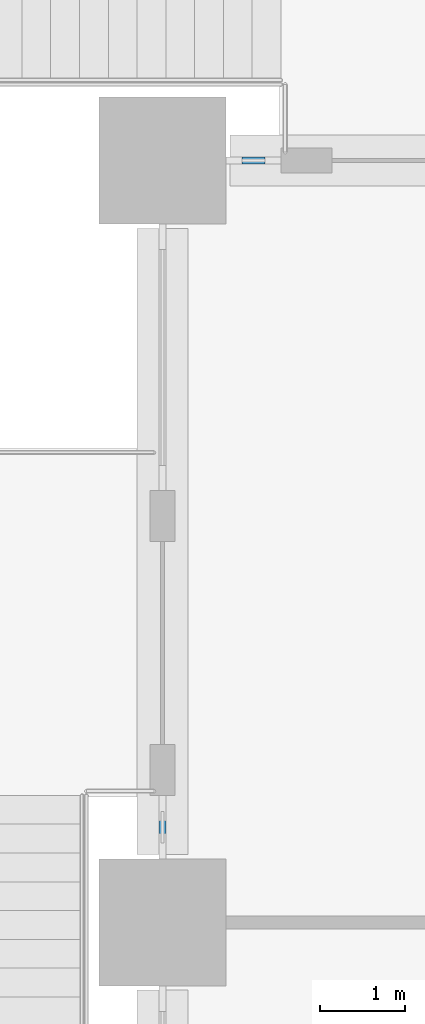
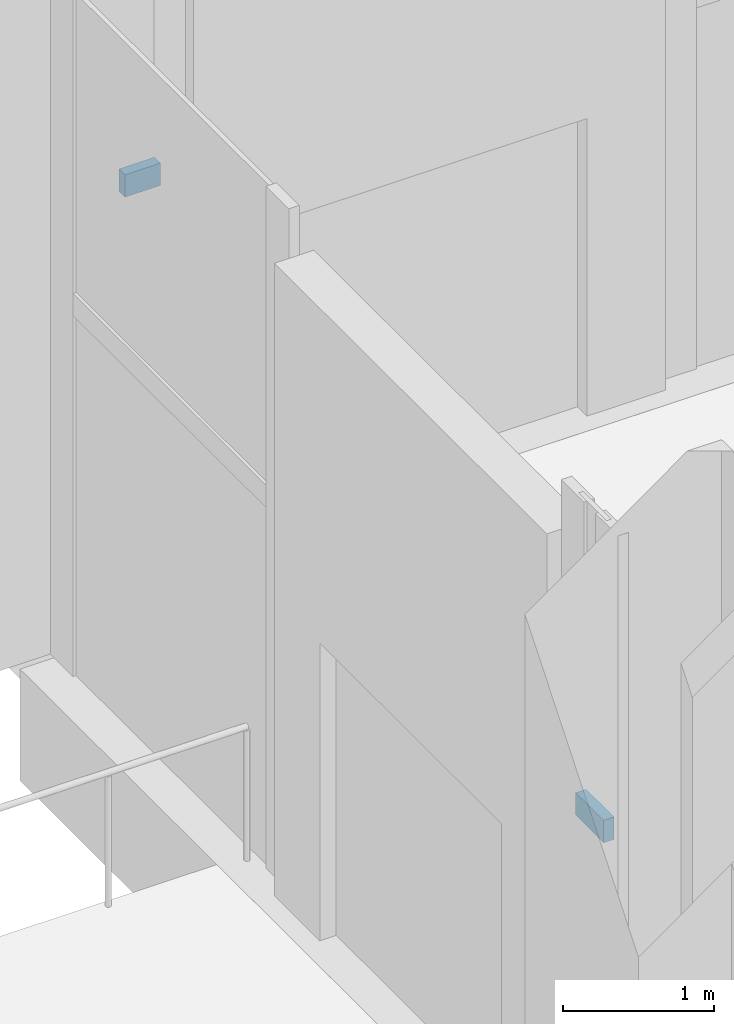
# One storey, part 14 of 49: 2 members, 2 elements without a shape of their own.
"""IFC4 building model written with IfcOpenShell, lengths in metres."""

from ifc_helpers import new_model, si_unit, direction, frame, origin, origin_2d, place, context, subcontext, project, spatial, rectangle, extrude, material, material_profile, profile_set, type_object, element, aggregate, save


model = new_model("IFC4")

# Units and contexts
model_context = context("Model", 3, precision=1e-05, world=origin(), true_north=direction((0.0, 1.0)))
body_context = subcontext(model_context, "Body", "Model", "MODEL_VIEW")
ifc_project = project(units=[si_unit("LENGTHUNIT", "METRE"), si_unit("AREAUNIT", "SQUARE_METRE"), si_unit("VOLUMEUNIT", "CUBIC_METRE"), si_unit("PLANEANGLEUNIT", "RADIAN"), si_unit("MASSUNIT", "GRAM", prefix="KILO")], contexts=[model_context])

# Site, building, storey
site_placement = place(None, origin())
site = spatial("IfcSite", under=ifc_project, at=site_placement, CompositionType="ELEMENT")
building_placement = place(site_placement, origin())
building = spatial("IfcBuilding", under=site, at=building_placement, Name="Candeia Pilgrim Tower and Theatre", CompositionType="ELEMENT")
storey_placement = place(building_placement, frame((0.0, 0.0, 17.0)))
storey = spatial("IfcBuildingStorey", under=building, at=storey_placement, Name="L02", CompositionType="ELEMENT", Elevation=17.0)

# Curtain wall, member
ifc_material_1 = material(Name="Aluminium framed podium glazing", Category="aluminium")
curtain_wall_type = type_object("IfcCurtainWallType", Name="CW-P curtain wall", PredefinedType="NOTDEFINED", material=ifc_material_1)
curtain_wall_1_placement = place(storey_placement, origin())
curtain_wall_1 = element("IfcCurtainWall", 1, at=curtain_wall_1_placement, inside=storey, type_object=curtain_wall_type, Name="Curtain wall CW-P L02.060", PredefinedType="NOTDEFINED")
ifc_material_2 = material(Name="Anodised aluminium", Category="aluminium")
ifc_material_profile = material_profile(ifc_material_2, rectangle(XDim=0.080078125, YDim=0.179931640625, at=origin_2d()))
ifc_profile_set = profile_set([ifc_material_profile], Name="Anodised aluminium")
member_type = type_object("IfcMemberType", Name="CW-P transom 80x180", PredefinedType="USERDEFINED", material=ifc_profile_set)
member_1_placement = place(storey_placement, frame((58.800048828125, 136.739990234375, 3.0), z_axis=(0.0, 1.0, 0.0), x_axis=(-1.0, 0.0, 0.0)))
member_1 = element("IfcMember", 2, at=member_1_placement, type_object=member_type, Name="CW-P transom 1.1", ObjectType="TRANSOM", PredefinedType="USERDEFINED", context=body_context, shape_type="SweptSolid", body=[
    extrude(rectangle(XDim=0.080078125, YDim=0.179931640625, at=origin_2d()), origin(), (0.0, 0.0, 1.0), 0.3701171875),
])
aggregate(curtain_wall_1, [member_1])

curtain_wall_2_placement = place(storey_placement, origin())
curtain_wall_2 = element("IfcCurtainWall", 3, at=curtain_wall_2_placement, inside=storey, type_object=curtain_wall_type, Name="Curtain wall CW-P L02.100", PredefinedType="NOTDEFINED")
member_2_placement = place(storey_placement, frame((59.739990234375, 144.800048828125, 3.0), z_axis=(1.0, 0.0, 0.0), x_axis=(0.0, 1.0, 0.0)))
member_2 = element("IfcMember", 4, at=member_2_placement, type_object=member_type, Name="CW-P transom 1.1", ObjectType="TRANSOM", PredefinedType="USERDEFINED", context=body_context, shape_type="SweptSolid", body=[
    extrude(rectangle(XDim=0.080078125, YDim=0.179931640625, at=origin_2d()), origin(), (0.0, 0.0, 1.0), 0.27001953125),
])
aggregate(curtain_wall_2, [member_2])

save(model, "model.ifc")
